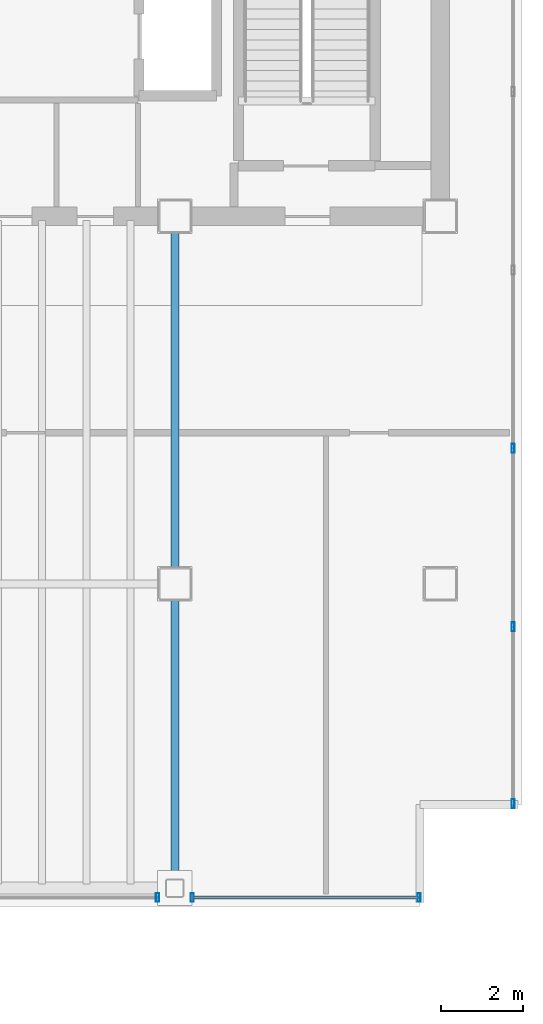
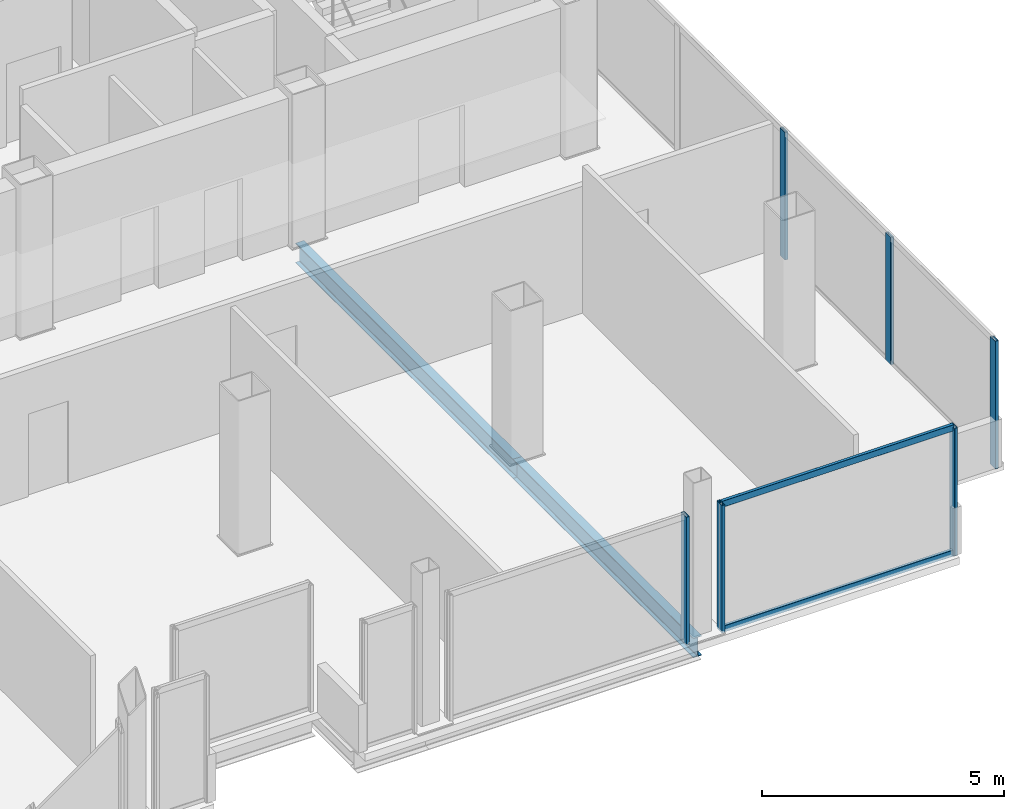
# One storey, part 10 of 16: 8 members, 2 beams, 3 elements without a shape of their own.
"""IFC4 building model written with IfcOpenShell, lengths in metres."""

from ifc_helpers import new_model, si_unit, direction, frame, origin, origin_2d, place, context, subcontext, project, spatial, hollow_rectangle, i_section, extrude, material, material_profile, profile_set, type_object, element, aggregate, save


model = new_model("IFC4")

# Units and contexts
model_context = context("Model", 3, precision=1e-05, world=origin(), true_north=direction((0.0, 1.0)))
body_context = subcontext(model_context, "Body", "Model", "MODEL_VIEW")
ifc_project = project(units=[si_unit("LENGTHUNIT", "METRE"), si_unit("AREAUNIT", "SQUARE_METRE"), si_unit("VOLUMEUNIT", "CUBIC_METRE"), si_unit("PLANEANGLEUNIT", "RADIAN"), si_unit("MASSUNIT", "GRAM", prefix="KILO")], contexts=[model_context])

# Site, building, storey
site_placement = place(None, origin())
site = spatial("IfcSite", under=ifc_project, at=site_placement, CompositionType="ELEMENT")
building_placement = place(site_placement, origin())
building = spatial("IfcBuilding", under=site, at=building_placement, Name="Noeulbin Bourse Tower", CompositionType="ELEMENT")
storey_placement = place(building_placement, frame((0.0, 0.0, 238.39990234375)))
storey = spatial("IfcBuildingStorey", under=building, at=storey_placement, Name="L59", CompositionType="ELEMENT", Elevation=238.39990234375)

# Beams
ifc_material_1 = material(Name="Steel S355", Category="steel")
ifc_material_profile_1 = material_profile(ifc_material_1, i_section(OverallWidth=0.199951171875, OverallDepth=0.5, WebThickness=0.010009765625, FlangeThickness=0.01611328125, FilletRadius=0.02001953125, at=origin_2d()), Name="H-500x200x10x16", Category="LoadBearing")
ifc_profile_set_1 = profile_set([ifc_material_profile_1], Name="Steel S355")
beam_type = type_object("IfcBeamType", Name="BM-GRD-500", PredefinedType="USERDEFINED", material=ifc_profile_set_1)
beam_1_placement = place(storey_placement, frame((37.5, 12.550048828125, -0.429931640625), z_axis=(0.0, 1.0, 0.0), x_axis=(-1.0, 0.0, 0.0)))
element("IfcBeam", 1, at=beam_1_placement, inside=storey, type_object=beam_type, Name="Tower Primary Girder NS L59-4.1", ObjectType="GIRDER", PredefinedType="USERDEFINED", context=body_context, shape_type="SweptSolid", body=[
    extrude(i_section(OverallWidth=0.199951171875, OverallDepth=0.5, WebThickness=0.010009765625, FlangeThickness=0.01611328125, FilletRadius=0.02001953125, at=origin_2d()), origin(), (0.0, 0.0, 1.0), 7.449951171875),
])
beam_2_placement = place(storey_placement, frame((37.5, 20.0, -0.429931640625), z_axis=(0.0, 1.0, 0.0), x_axis=(-1.0, 0.0, 0.0)))
element("IfcBeam", 2, at=beam_2_placement, inside=storey, type_object=beam_type, Name="Tower Primary Girder NS L59-4.2", ObjectType="GIRDER", PredefinedType="USERDEFINED", context=body_context, shape_type="SweptSolid", body=[
    extrude(i_section(OverallWidth=0.199951171875, OverallDepth=0.5, WebThickness=0.010009765625, FlangeThickness=0.01611328125, FilletRadius=0.02001953125, at=origin_2d()), origin(), (0.0, 0.0, 1.0), 9.0),
])

# Curtain wall, member
ifc_material_2 = material(Name="High-Selectivity Low-Iron Glazing", Category="glass")
curtain_wall_type = type_object("IfcCurtainWallType", Name="CW-SYS-4", PredefinedType="NOTDEFINED", material=ifc_material_2)
curtain_wall_1_placement = place(storey_placement, origin())
curtain_wall_1 = element("IfcCurtainWall", 3, at=curtain_wall_1_placement, inside=storey, type_object=curtain_wall_type, Name="Unitised Curtain Wall CW-L59-S3-S2", PredefinedType="NOTDEFINED")
ifc_material_3 = material(Name="Anodised Aluminium 6063-T6", Category="aluminium")
ifc_material_profile_2 = material_profile(ifc_material_3, hollow_rectangle(XDim=0.074951171875, YDim=0.219970703125, WallThickness=0.0048828125, InnerFilletRadius=0.00244140625, OuterFilletRadius=0.0048828125, at=origin_2d()), Name="ALU-MULL-75x220x5", Category="LoadBearing")
ifc_profile_set_2 = profile_set([ifc_material_profile_2], Name="Anodised Aluminium 6063-T6")
member_type_1 = type_object("IfcMemberType", Name="CW-SYS-4-MUL", PredefinedType="MULLION", material=ifc_profile_set_2)
member_1_placement = place(storey_placement, frame((37.074951171875, 12.320068359375, -0.02001953125), z_axis=(0.0, 0.0, 1.0), x_axis=(1.0, 0.0, 0.0)))
member_1 = element("IfcMember", 4, at=member_1_placement, type_object=member_type_1, Name="Curtain Wall Mullion CW-L59-S3-S2-M01", PredefinedType="MULLION", context=body_context, shape_type="SweptSolid", body=[
    extrude(hollow_rectangle(XDim=0.074951171875, YDim=0.219970703125, WallThickness=0.0048828125, InnerFilletRadius=0.00244140625, OuterFilletRadius=0.0048828125, at=origin_2d()), origin(), (0.0, 0.0, 1.0), 3.22021484375),
])
aggregate(curtain_wall_1, [member_1])

# Curtain wall, members
curtain_wall_2_placement = place(storey_placement, origin())
curtain_wall_2 = element("IfcCurtainWall", 5, at=curtain_wall_2_placement, inside=storey, type_object=curtain_wall_type, Name="Unitised Curtain Wall CW-L59-S3-S3", PredefinedType="NOTDEFINED")
member_2_placement = place(storey_placement, frame((37.925048828125, 12.320068359375, -0.02001953125), z_axis=(0.0, 0.0, 1.0), x_axis=(1.0, 0.0, 0.0)))
member_2 = element("IfcMember", 6, at=member_2_placement, type_object=member_type_1, Name="Curtain Wall Mullion CW-L59-S3-S3-M00", PredefinedType="MULLION", context=body_context, shape_type="SweptSolid", body=[
    extrude(hollow_rectangle(XDim=0.074951171875, YDim=0.219970703125, WallThickness=0.0048828125, InnerFilletRadius=0.00244140625, OuterFilletRadius=0.0048828125, at=origin_2d()), origin(), (0.0, 0.0, 1.0), 3.22021484375),
])
member_3_placement = place(storey_placement, frame((43.47998046875, 12.320068359375, -0.02001953125), z_axis=(0.0, 0.0, 1.0), x_axis=(1.0, 0.0, 0.0)))
member_3 = element("IfcMember", 7, at=member_3_placement, type_object=member_type_1, Name="Curtain Wall Mullion CW-L59-S3-S3-M01", PredefinedType="MULLION", context=body_context, shape_type="SweptSolid", body=[
    extrude(hollow_rectangle(XDim=0.074951171875, YDim=0.219970703125, WallThickness=0.0048828125, InnerFilletRadius=0.00244140625, OuterFilletRadius=0.0048828125, at=origin_2d()), origin(), (0.0, 0.0, 1.0), 3.22021484375),
])

curtain_wall_3_placement = place(storey_placement, origin())
curtain_wall_3 = element("IfcCurtainWall", 8, at=curtain_wall_3_placement, inside=storey, type_object=curtain_wall_type, Name="Unitised Curtain Wall CW-L59-E", PredefinedType="NOTDEFINED")
member_4_placement = place(storey_placement, frame((45.780029296875, 14.6201171875, -0.02001953125), z_axis=(0.0, 0.0, 1.0), x_axis=(1.0, 0.0, 0.0)))
member_4 = element("IfcMember", 9, at=member_4_placement, type_object=member_type_1, Name="Curtain Wall Mullion CW-L59-E-M00", PredefinedType="MULLION", context=body_context, shape_type="SweptSolid", body=[
    extrude(hollow_rectangle(XDim=0.074951171875, YDim=0.219970703125, WallThickness=0.0048828125, InnerFilletRadius=0.00244140625, OuterFilletRadius=0.0048828125, at=origin_2d()), origin(), (0.0, 0.0, 1.0), 3.22021484375),
])
member_5_placement = place(storey_placement, frame((45.780029296875, 18.947998046875, -0.02001953125), z_axis=(0.0, 0.0, 1.0), x_axis=(1.0, 0.0, 0.0)))
member_5 = element("IfcMember", 10, at=member_5_placement, type_object=member_type_1, Name="Curtain Wall Mullion CW-L59-E-M01", PredefinedType="MULLION", context=body_context, shape_type="SweptSolid", body=[
    extrude(hollow_rectangle(XDim=0.074951171875, YDim=0.219970703125, WallThickness=0.0048828125, InnerFilletRadius=0.00244140625, OuterFilletRadius=0.0048828125, at=origin_2d()), origin(), (0.0, 0.0, 1.0), 3.22021484375),
])
member_6_placement = place(storey_placement, frame((45.780029296875, 23.31591796875, -0.02001953125), z_axis=(0.0, 0.0, 1.0), x_axis=(1.0, 0.0, 0.0)))
member_6 = element("IfcMember", 11, at=member_6_placement, type_object=member_type_1, Name="Curtain Wall Mullion CW-L59-E-M02", PredefinedType="MULLION", context=body_context, shape_type="SweptSolid", body=[
    extrude(hollow_rectangle(XDim=0.074951171875, YDim=0.219970703125, WallThickness=0.0048828125, InnerFilletRadius=0.00244140625, OuterFilletRadius=0.0048828125, at=origin_2d()), origin(), (0.0, 0.0, 1.0), 3.22021484375),
])
aggregate(curtain_wall_3, [member_4, member_5, member_6])

# Member
ifc_material_profile_3 = material_profile(ifc_material_3, hollow_rectangle(XDim=0.074951171875, YDim=0.159912109375, WallThickness=0.0048828125, InnerFilletRadius=0.00244140625, OuterFilletRadius=0.0048828125, at=origin_2d()), Name="ALU-TRAN-75x160x5", Category="LoadBearing")
ifc_profile_set_3 = profile_set([ifc_material_profile_3], Name="Anodised Aluminium 6063-T6")
member_type_2 = type_object("IfcMemberType", Name="CW-SYS-4-TRN", PredefinedType="USERDEFINED", material=ifc_profile_set_3)
member_7_placement = place(storey_placement, frame((37.93505859375, 12.320068359375, 0.010009765625), z_axis=(1.0, 0.0, 0.0), x_axis=(0.0, 1.0, 0.0)))
member_7 = element("IfcMember", 12, at=member_7_placement, type_object=member_type_2, Name="Curtain Wall Transom CW-L59-S3-S3-T00", ObjectType="TRANSOM", PredefinedType="USERDEFINED", context=body_context, shape_type="SweptSolid", body=[
    extrude(hollow_rectangle(XDim=0.074951171875, YDim=0.159912109375, WallThickness=0.0048828125, InnerFilletRadius=0.00244140625, OuterFilletRadius=0.0048828125, at=origin_2d()), origin(), (0.0, 0.0, 1.0), 5.534912109375),
])

member_8_placement = place(storey_placement, frame((37.93505859375, 12.320068359375, 3.170166015625), z_axis=(1.0, 0.0, 0.0), x_axis=(0.0, 1.0, 0.0)))
member_8 = element("IfcMember", 13, at=member_8_placement, type_object=member_type_2, Name="Curtain Wall Transom CW-L59-S3-S3-T01", ObjectType="TRANSOM", PredefinedType="USERDEFINED", context=body_context, shape_type="SweptSolid", body=[
    extrude(hollow_rectangle(XDim=0.074951171875, YDim=0.159912109375, WallThickness=0.0048828125, InnerFilletRadius=0.00244140625, OuterFilletRadius=0.0048828125, at=origin_2d()), origin(), (0.0, 0.0, 1.0), 5.534912109375),
])

aggregate(curtain_wall_2, [member_2, member_3, member_7, member_8])

save(model, "model.ifc")
